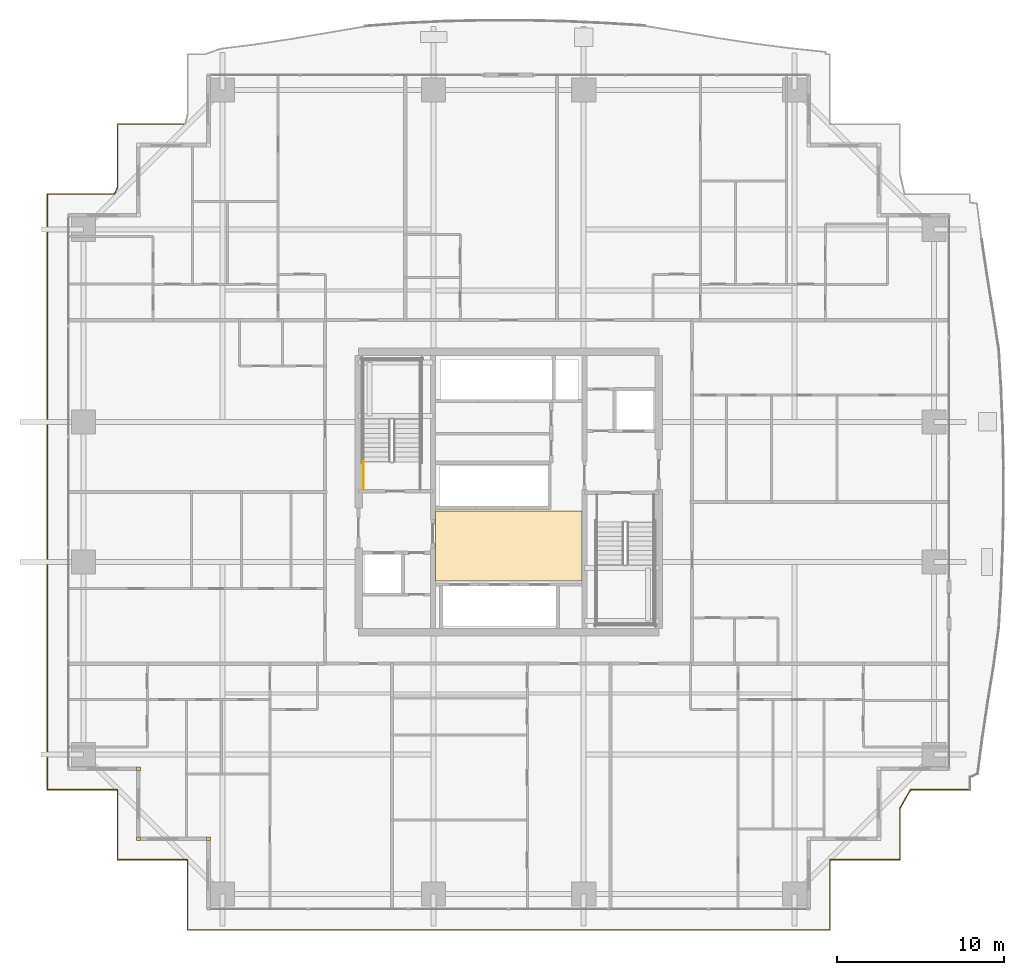
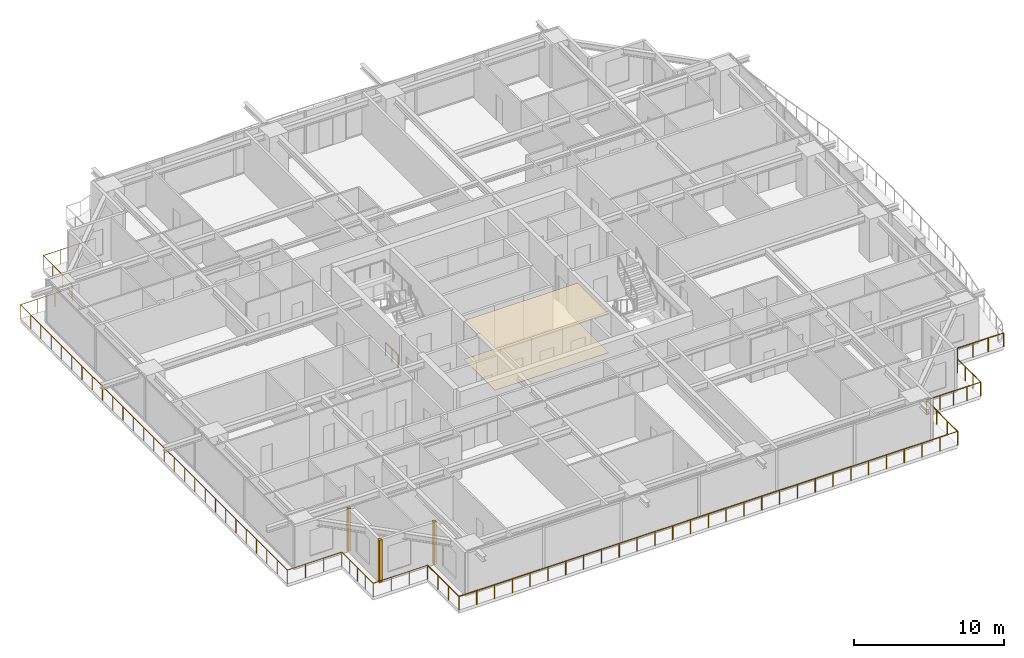
# One storey, part 34 of 38: 5 coverings, 3 railings.
"""IFC4 building model written with IfcOpenShell, lengths in metres."""

from ifc_helpers import new_model, si_unit, direction, frame, origin, origin_2d, place, context, subcontext, project, spatial, polyline, rectangle, circle, outline, extrude, source, transform, mapped, material, layer, layer_set, type_object, element, save


model = new_model("IFC4")

# Units and contexts
model_context = context("Model", 3, precision=1e-05, world=origin(), true_north=direction((0.0, 1.0)))
body_context = subcontext(model_context, "Body", "Model", "MODEL_VIEW")
ifc_project = project(units=[si_unit("LENGTHUNIT", "METRE"), si_unit("AREAUNIT", "SQUARE_METRE"), si_unit("VOLUMEUNIT", "CUBIC_METRE"), si_unit("PLANEANGLEUNIT", "RADIAN"), si_unit("MASSUNIT", "GRAM", prefix="KILO")], contexts=[model_context])

# Site, building, storey
site_placement = place(None, origin())
site = spatial("IfcSite", under=ifc_project, at=site_placement, CompositionType="ELEMENT")
building_placement = place(site_placement, origin())
building = spatial("IfcBuilding", under=site, at=building_placement, Name="Serunith Strait Residences", CompositionType="ELEMENT")
storey_placement = place(building_placement, frame((0.0, 0.0, 37.949951171875)))
storey = spatial("IfcBuildingStorey", under=building, at=storey_placement, Name="L08", CompositionType="ELEMENT", Elevation=37.949951171875)

# Coverings
ifc_material_1 = material(Name="Perforated acoustic gypsum ceiling tile")
ifc_layer_1 = layer(ifc_material_1, 0.02490234375, Name="Perforated acoustic gypsum ceiling tile")
ifc_layer_set_1 = layer_set([ifc_layer_1], Name="Perforated acoustic gypsum ceiling tile")
covering_type_1 = type_object("IfcCoveringType", Name="COV-CEIL-AC60", PredefinedType="CEILING", material=ifc_layer_set_1)
covering_1_placement = place(storey_placement, frame((0.0, 0.0, 3.14013671875)))
element("IfcCovering", 1, at=covering_1_placement, inside=storey, type_object=covering_type_1, Name="L08 Lift Lobby Acoustic Ceiling", PredefinedType="CEILING", context=body_context, shape_type="SweptSolid", body=[
    extrude(outline(polyline([(28.0, 19.85009765625), (36.800048828125, 19.85009765625), (36.800048828125, 24.050048828125), (28.0, 24.050048828125), (28.0, 19.85009765625)])), origin(), (0.0, 0.0, 1.0), 0.02490234375),
])
ifc_material_2 = material(Name="Honed limestone terrazzo flooring", Category="masonry")
ifc_layer_2 = layer(ifc_material_2, 0.02001953125, Name="Honed limestone terrazzo flooring")
ifc_layer_set_2 = layer_set([ifc_layer_2], Name="Honed limestone terrazzo flooring")
covering_type_2 = type_object("IfcCoveringType", Name="COV-FLOOR-TER40", PredefinedType="FLOORING", material=ifc_layer_set_2)
covering_2_placement = place(storey_placement, origin())
element("IfcCovering", 2, at=covering_2_placement, inside=storey, type_object=covering_type_2, Name="L08 Lift Lobby Terrazzo Flooring", PredefinedType="FLOORING", context=body_context, shape_type="SweptSolid", body=[
    extrude(outline(polyline([(28.0, 19.85009765625), (36.800048828125, 19.85009765625), (36.800048828125, 24.050048828125), (28.0, 24.050048828125), (28.0, 19.85009765625)])), origin(), (0.0, 0.0, 1.0), 0.02001953125),
])

# Railings
ifc_material_3 = material(Name="Stainless Steel & Laminated Glass Balustrade", Category="steel")
railing_type_1 = type_object("IfcRailingType", Name="RLG-BALC-1150", PredefinedType="BALUSTRADE", material=ifc_material_3)
railing_1_placement = place(storey_placement, frame((60.06005859375, 7.340087890625, -0.050048828125)))
element("IfcRailing", 3, at=railing_1_placement, inside=storey, type_object=railing_type_1, Name="L08 Swirling Balcony Perimeter Balustrade 7", PredefinedType="BALUSTRADE", context=body_context, shape_type="SweptSolid", body=[
    extrude(circle(Radius=0.02392578125, at=origin_2d()), frame((-0.001953125, 0.0, 1.1259765625), z_axis=(-1.0, 0.0, 0.0), x_axis=(0.0, -1.0, 0.0)), (0.0, 0.0, 1.0), 3.561767578125),
    extrude(circle(Radius=0.02392578125, at=origin_2d()), frame((-3.566650390625, -0.001708984375, 1.1259765625), z_axis=(-0.495358461163, -0.868688663995, 0.0), x_axis=(0.868688663995, -0.495358461163, 0.0)), (0.0, 0.0, 1.0), 1.2763671875),
    extrude(circle(Radius=0.02392578125, at=origin_2d()), frame((-4.199951171875, -1.1142578125, 1.1259765625), z_axis=(0.0, -1.0, 0.0), x_axis=(1.0, 0.0, 0.0)), (0.0, 0.0, 1.0), 3.083984375),
    extrude(circle(Radius=0.02392578125, at=origin_2d()), frame((-4.201904296875, -4.2001953125, 1.1259765625), z_axis=(-1.0, 0.0, 0.0), x_axis=(0.0, -1.0, 0.0)), (0.0, 0.0, 1.0), 4.1962890625),
    extrude(circle(Radius=0.02392578125, at=origin_2d()), frame((-8.400146484375, -4.2021484375, 1.1259765625), z_axis=(0.0, -1.0, 0.0), x_axis=(1.0, 0.0, 0.0)), (0.0, 0.0, 1.0), 4.196044921875),
    extrude(circle(Radius=0.02392578125, at=origin_2d()), frame((-8.402099609375, -8.400146484375, 1.1259765625), z_axis=(-1.0, 0.0, 0.0), x_axis=(0.0, -1.0, 0.0)), (0.0, 0.0, 1.0), 38.51611328125),
    extrude(circle(Radius=0.02392578125, at=origin_2d()), frame((-46.920166015625, -8.398193359375, 1.1259765625), z_axis=(0.0, 1.0, 0.0), x_axis=(-1.0, 0.0, 0.0)), (0.0, 0.0, 1.0), 4.196044921875),
    extrude(circle(Radius=0.02099609375, at=origin_2d()), origin(), (0.0, 0.0, 1.0), 1.099853515625),
    extrude(circle(Radius=0.02099609375, at=origin_2d()), frame((-1.1884765625, 0.0, 0.0)), (0.0, 0.0, 1.0), 1.099853515625),
    extrude(circle(Radius=0.02099609375, at=origin_2d()), frame((-2.377197265625, 0.0, 0.0)), (0.0, 0.0, 1.0), 1.099853515625),
    extrude(circle(Radius=0.02099609375, at=origin_2d()), frame((-3.565673828125, 0.0, 0.0)), (0.0, 0.0, 1.0), 1.099853515625),
    extrude(circle(Radius=0.02099609375, at=origin_2d()), frame((-4.199951171875, -1.1123046875, 0.0)), (0.0, 0.0, 1.0), 1.099853515625),
    extrude(circle(Radius=0.02099609375, at=origin_2d()), frame((-4.199951171875, -2.1416015625, 0.0)), (0.0, 0.0, 1.0), 1.099853515625),
    extrude(circle(Radius=0.02099609375, at=origin_2d()), frame((-4.199951171875, -3.1708984375, 0.0)), (0.0, 0.0, 1.0), 1.099853515625),
    extrude(circle(Radius=0.02099609375, at=origin_2d()), frame((-4.199951171875, -4.2001953125, 0.0)), (0.0, 0.0, 1.0), 1.099853515625),
    extrude(circle(Radius=0.02099609375, at=origin_2d()), frame((-5.25, -4.2001953125, 0.0)), (0.0, 0.0, 1.0), 1.099853515625),
    extrude(circle(Radius=0.02099609375, at=origin_2d()), frame((-6.300048828125, -4.2001953125, 0.0)), (0.0, 0.0, 1.0), 1.099853515625),
    extrude(circle(Radius=0.02099609375, at=origin_2d()), frame((-7.35009765625, -4.2001953125, 0.0)), (0.0, 0.0, 1.0), 1.099853515625),
    extrude(circle(Radius=0.02099609375, at=origin_2d()), frame((-8.400146484375, -4.2001953125, 0.0)), (0.0, 0.0, 1.0), 1.099853515625),
    extrude(circle(Radius=0.02099609375, at=origin_2d()), frame((-8.400146484375, -5.60009765625, 0.0)), (0.0, 0.0, 1.0), 1.099853515625),
    extrude(circle(Radius=0.02099609375, at=origin_2d()), frame((-8.400146484375, -7.000244140625, 0.0)), (0.0, 0.0, 1.0), 1.099853515625),
    extrude(circle(Radius=0.02099609375, at=origin_2d()), frame((-8.400146484375, -8.400146484375, 0.0)), (0.0, 0.0, 1.0), 1.099853515625),
    extrude(circle(Radius=0.02099609375, at=origin_2d()), frame((-9.77587890625, -8.400146484375, 0.0)), (0.0, 0.0, 1.0), 1.099853515625),
    extrude(circle(Radius=0.02099609375, at=origin_2d()), frame((-11.151611328125, -8.400146484375, 0.0)), (0.0, 0.0, 1.0), 1.099853515625),
    extrude(circle(Radius=0.02099609375, at=origin_2d()), frame((-12.52734375, -8.400146484375, 0.0)), (0.0, 0.0, 1.0), 1.099853515625),
    extrude(circle(Radius=0.02099609375, at=origin_2d()), frame((-13.903076171875, -8.400146484375, 0.0)), (0.0, 0.0, 1.0), 1.099853515625),
    extrude(circle(Radius=0.02099609375, at=origin_2d()), frame((-15.27880859375, -8.400146484375, 0.0)), (0.0, 0.0, 1.0), 1.099853515625),
    extrude(circle(Radius=0.02099609375, at=origin_2d()), frame((-16.654541015625, -8.400146484375, 0.0)), (0.0, 0.0, 1.0), 1.099853515625),
    extrude(circle(Radius=0.02099609375, at=origin_2d()), frame((-18.0302734375, -8.400146484375, 0.0)), (0.0, 0.0, 1.0), 1.099853515625),
    extrude(circle(Radius=0.02099609375, at=origin_2d()), frame((-19.40576171875, -8.400146484375, 0.0)), (0.0, 0.0, 1.0), 1.099853515625),
    extrude(circle(Radius=0.02099609375, at=origin_2d()), frame((-20.781494140625, -8.400146484375, 0.0)), (0.0, 0.0, 1.0), 1.099853515625),
    extrude(circle(Radius=0.02099609375, at=origin_2d()), frame((-22.1572265625, -8.400146484375, 0.0)), (0.0, 0.0, 1.0), 1.099853515625),
    extrude(circle(Radius=0.02099609375, at=origin_2d()), frame((-23.532958984375, -8.400146484375, 0.0)), (0.0, 0.0, 1.0), 1.099853515625),
    extrude(circle(Radius=0.02099609375, at=origin_2d()), frame((-24.90869140625, -8.400146484375, 0.0)), (0.0, 0.0, 1.0), 1.099853515625),
    extrude(circle(Radius=0.02099609375, at=origin_2d()), frame((-26.284423828125, -8.400146484375, 0.0)), (0.0, 0.0, 1.0), 1.099853515625),
    extrude(circle(Radius=0.02099609375, at=origin_2d()), frame((-27.66015625, -8.400146484375, 0.0)), (0.0, 0.0, 1.0), 1.099853515625),
    extrude(circle(Radius=0.02099609375, at=origin_2d()), frame((-29.035888671875, -8.400146484375, 0.0)), (0.0, 0.0, 1.0), 1.099853515625),
    extrude(circle(Radius=0.02099609375, at=origin_2d()), frame((-30.41162109375, -8.400146484375, 0.0)), (0.0, 0.0, 1.0), 1.099853515625),
    extrude(circle(Radius=0.02099609375, at=origin_2d()), frame((-31.787353515625, -8.400146484375, 0.0)), (0.0, 0.0, 1.0), 1.099853515625),
    extrude(circle(Radius=0.02099609375, at=origin_2d()), frame((-33.1630859375, -8.400146484375, 0.0)), (0.0, 0.0, 1.0), 1.099853515625),
    extrude(circle(Radius=0.02099609375, at=origin_2d()), frame((-34.538818359375, -8.400146484375, 0.0)), (0.0, 0.0, 1.0), 1.099853515625),
    extrude(circle(Radius=0.02099609375, at=origin_2d()), frame((-35.91455078125, -8.400146484375, 0.0)), (0.0, 0.0, 1.0), 1.099853515625),
    extrude(circle(Radius=0.02099609375, at=origin_2d()), frame((-37.2900390625, -8.400146484375, 0.0)), (0.0, 0.0, 1.0), 1.099853515625),
    extrude(circle(Radius=0.02099609375, at=origin_2d()), frame((-38.665771484375, -8.400146484375, 0.0)), (0.0, 0.0, 1.0), 1.099853515625),
    extrude(circle(Radius=0.02099609375, at=origin_2d()), frame((-40.04150390625, -8.400146484375, 0.0)), (0.0, 0.0, 1.0), 1.099853515625),
    extrude(circle(Radius=0.02099609375, at=origin_2d()), frame((-41.417236328125, -8.400146484375, 0.0)), (0.0, 0.0, 1.0), 1.099853515625),
    extrude(circle(Radius=0.02099609375, at=origin_2d()), frame((-42.79296875, -8.400146484375, 0.0)), (0.0, 0.0, 1.0), 1.099853515625),
    extrude(circle(Radius=0.02099609375, at=origin_2d()), frame((-44.168701171875, -8.400146484375, 0.0)), (0.0, 0.0, 1.0), 1.099853515625),
    extrude(circle(Radius=0.02099609375, at=origin_2d()), frame((-45.54443359375, -8.400146484375, 0.0)), (0.0, 0.0, 1.0), 1.099853515625),
    extrude(circle(Radius=0.02099609375, at=origin_2d()), frame((-46.920166015625, -8.400146484375, 0.0)), (0.0, 0.0, 1.0), 1.099853515625),
    extrude(circle(Radius=0.02099609375, at=origin_2d()), frame((-46.920166015625, -7.000244140625, 0.0)), (0.0, 0.0, 1.0), 1.099853515625),
    extrude(circle(Radius=0.02099609375, at=origin_2d()), frame((-46.920166015625, -5.60009765625, 0.0)), (0.0, 0.0, 1.0), 1.099853515625),
    extrude(circle(Radius=0.02099609375, at=origin_2d()), frame((-46.920166015625, -4.2001953125, 0.0)), (0.0, 0.0, 1.0), 1.099853515625),
])
railing_2_placement = place(storey_placement, frame((13.139892578125, 3.139892578125, -0.050048828125)))
element("IfcRailing", 4, at=railing_2_placement, inside=storey, type_object=railing_type_1, Name="L08 Swirling Balcony Perimeter Balustrade 8", PredefinedType="BALUSTRADE", context=body_context, shape_type="SweptSolid", body=[
    extrude(circle(Radius=0.02392578125, at=origin_2d()), frame((-0.001953125, 0.0, 1.1259765625), z_axis=(-1.0, 0.0, 0.0), x_axis=(0.0, -1.0, 0.0)), (0.0, 0.0, 1.0), 4.196044921875),
    extrude(circle(Radius=0.02392578125, at=origin_2d()), frame((-4.199951171875, 0.001953125, 1.1259765625), z_axis=(0.0, 1.0, 0.0), x_axis=(-1.0, 0.0, 0.0)), (0.0, 0.0, 1.0), 4.1962890625),
    extrude(circle(Radius=0.02392578125, at=origin_2d()), frame((-4.201904296875, 4.2001953125, 1.1259765625), z_axis=(-1.0, 0.0, 0.0), x_axis=(0.0, -1.0, 0.0)), (0.0, 0.0, 1.0), 4.196044921875),
    extrude(circle(Radius=0.02392578125, at=origin_2d()), frame((-8.39990234375, 4.2021484375, 1.1259765625), z_axis=(0.0, 1.0, 0.0), x_axis=(-1.0, 0.0, 0.0)), (0.0, 0.0, 1.0), 35.716064453125),
    extrude(circle(Radius=0.02392578125, at=origin_2d()), frame((-8.39794921875, 39.920166015625, 1.1259765625), z_axis=(1.0, 0.0, 0.0), x_axis=(0.0, 1.0, 0.0)), (0.0, 0.0, 1.0), 4.014892578125),
    extrude(circle(Radius=0.02392578125, at=origin_2d()), frame((-4.38037109375, 39.921875, 1.1259765625), z_axis=(0.414518347731, 0.91004095479, 0.0), x_axis=(-0.91004095479, 0.414518347731, 0.0)), (0.0, 0.0, 1.0), 0.43310546875),
    extrude(circle(Radius=0.02392578125, at=origin_2d()), frame((-4.199951171875, 40.31982421875, 1.1259765625), z_axis=(0.0, 1.0, 0.0), x_axis=(-1.0, 0.0, 0.0)), (0.0, 0.0, 1.0), 3.79833984375),
    extrude(circle(Radius=0.02392578125, at=origin_2d()), frame((-4.197998046875, 44.1201171875, 1.1259765625), z_axis=(1.0, 0.0, 0.0), x_axis=(0.0, 1.0, 0.0)), (0.0, 0.0, 1.0), 4.037841796875),
    extrude(circle(Radius=0.02099609375, at=origin_2d()), origin(), (0.0, 0.0, 1.0), 1.099853515625),
    extrude(circle(Radius=0.02099609375, at=origin_2d()), frame((-1.39990234375, 0.0, 0.0)), (0.0, 0.0, 1.0), 1.099853515625),
    extrude(circle(Radius=0.02099609375, at=origin_2d()), frame((-2.800048828125, 0.0, 0.0)), (0.0, 0.0, 1.0), 1.099853515625),
    extrude(circle(Radius=0.02099609375, at=origin_2d()), frame((-4.199951171875, 0.0, 0.0)), (0.0, 0.0, 1.0), 1.099853515625),
    extrude(circle(Radius=0.02099609375, at=origin_2d()), frame((-4.199951171875, 1.050048828125, 0.0)), (0.0, 0.0, 1.0), 1.099853515625),
    extrude(circle(Radius=0.02099609375, at=origin_2d()), frame((-4.199951171875, 2.10009765625, 0.0)), (0.0, 0.0, 1.0), 1.099853515625),
    extrude(circle(Radius=0.02099609375, at=origin_2d()), frame((-4.199951171875, 3.150146484375, 0.0)), (0.0, 0.0, 1.0), 1.099853515625),
    extrude(circle(Radius=0.02099609375, at=origin_2d()), frame((-4.199951171875, 4.2001953125, 0.0)), (0.0, 0.0, 1.0), 1.099853515625),
    extrude(circle(Radius=0.02099609375, at=origin_2d()), frame((-5.599853515625, 4.2001953125, 0.0)), (0.0, 0.0, 1.0), 1.099853515625),
    extrude(circle(Radius=0.02099609375, at=origin_2d()), frame((-7.0, 4.2001953125, 0.0)), (0.0, 0.0, 1.0), 1.099853515625),
    extrude(circle(Radius=0.02099609375, at=origin_2d()), frame((-8.39990234375, 4.2001953125, 0.0)), (0.0, 0.0, 1.0), 1.099853515625),
    extrude(circle(Radius=0.02099609375, at=origin_2d()), frame((-8.39990234375, 5.573974609375, 0.0)), (0.0, 0.0, 1.0), 1.099853515625),
    extrude(circle(Radius=0.02099609375, at=origin_2d()), frame((-8.39990234375, 6.947998046875, 0.0)), (0.0, 0.0, 1.0), 1.099853515625),
    extrude(circle(Radius=0.02099609375, at=origin_2d()), frame((-8.39990234375, 8.32177734375, 0.0)), (0.0, 0.0, 1.0), 1.099853515625),
    extrude(circle(Radius=0.02099609375, at=origin_2d()), frame((-8.39990234375, 9.695556640625, 0.0)), (0.0, 0.0, 1.0), 1.099853515625),
    extrude(circle(Radius=0.02099609375, at=origin_2d()), frame((-8.39990234375, 11.0693359375, 0.0)), (0.0, 0.0, 1.0), 1.099853515625),
    extrude(circle(Radius=0.02099609375, at=origin_2d()), frame((-8.39990234375, 12.443359375, 0.0)), (0.0, 0.0, 1.0), 1.099853515625),
    extrude(circle(Radius=0.02099609375, at=origin_2d()), frame((-8.39990234375, 13.817138671875, 0.0)), (0.0, 0.0, 1.0), 1.099853515625),
    extrude(circle(Radius=0.02099609375, at=origin_2d()), frame((-8.39990234375, 15.19091796875, 0.0)), (0.0, 0.0, 1.0), 1.099853515625),
    extrude(circle(Radius=0.02099609375, at=origin_2d()), frame((-8.39990234375, 16.564697265625, 0.0)), (0.0, 0.0, 1.0), 1.099853515625),
    extrude(circle(Radius=0.02099609375, at=origin_2d()), frame((-8.39990234375, 17.938720703125, 0.0)), (0.0, 0.0, 1.0), 1.099853515625),
    extrude(circle(Radius=0.02099609375, at=origin_2d()), frame((-8.39990234375, 19.3125, 0.0)), (0.0, 0.0, 1.0), 1.099853515625),
    extrude(circle(Radius=0.02099609375, at=origin_2d()), frame((-8.39990234375, 20.686279296875, 0.0)), (0.0, 0.0, 1.0), 1.099853515625),
    extrude(circle(Radius=0.02099609375, at=origin_2d()), frame((-8.39990234375, 22.06005859375, 0.0)), (0.0, 0.0, 1.0), 1.099853515625),
    extrude(circle(Radius=0.02099609375, at=origin_2d()), frame((-8.39990234375, 23.43408203125, 0.0)), (0.0, 0.0, 1.0), 1.099853515625),
    extrude(circle(Radius=0.02099609375, at=origin_2d()), frame((-8.39990234375, 24.807861328125, 0.0)), (0.0, 0.0, 1.0), 1.099853515625),
    extrude(circle(Radius=0.02099609375, at=origin_2d()), frame((-8.39990234375, 26.181640625, 0.0)), (0.0, 0.0, 1.0), 1.099853515625),
    extrude(circle(Radius=0.02099609375, at=origin_2d()), frame((-8.39990234375, 27.5556640625, 0.0)), (0.0, 0.0, 1.0), 1.099853515625),
    extrude(circle(Radius=0.02099609375, at=origin_2d()), frame((-8.39990234375, 28.929443359375, 0.0)), (0.0, 0.0, 1.0), 1.099853515625),
    extrude(circle(Radius=0.02099609375, at=origin_2d()), frame((-8.39990234375, 30.30322265625, 0.0)), (0.0, 0.0, 1.0), 1.099853515625),
    extrude(circle(Radius=0.02099609375, at=origin_2d()), frame((-8.39990234375, 31.677001953125, 0.0)), (0.0, 0.0, 1.0), 1.099853515625),
    extrude(circle(Radius=0.02099609375, at=origin_2d()), frame((-8.39990234375, 33.051025390625, 0.0)), (0.0, 0.0, 1.0), 1.099853515625),
    extrude(circle(Radius=0.02099609375, at=origin_2d()), frame((-8.39990234375, 34.4248046875, 0.0)), (0.0, 0.0, 1.0), 1.099853515625),
    extrude(circle(Radius=0.02099609375, at=origin_2d()), frame((-8.39990234375, 35.798583984375, 0.0)), (0.0, 0.0, 1.0), 1.099853515625),
    extrude(circle(Radius=0.02099609375, at=origin_2d()), frame((-8.39990234375, 37.17236328125, 0.0)), (0.0, 0.0, 1.0), 1.099853515625),
    extrude(circle(Radius=0.02099609375, at=origin_2d()), frame((-8.39990234375, 38.54638671875, 0.0)), (0.0, 0.0, 1.0), 1.099853515625),
    extrude(circle(Radius=0.02099609375, at=origin_2d()), frame((-8.39990234375, 39.920166015625, 0.0)), (0.0, 0.0, 1.0), 1.099853515625),
    extrude(circle(Radius=0.02099609375, at=origin_2d()), frame((-7.060302734375, 39.920166015625, 0.0)), (0.0, 0.0, 1.0), 1.099853515625),
    extrude(circle(Radius=0.02099609375, at=origin_2d()), frame((-5.720703125, 39.920166015625, 0.0)), (0.0, 0.0, 1.0), 1.099853515625),
    extrude(circle(Radius=0.02099609375, at=origin_2d()), frame((-4.381103515625, 39.920166015625, 0.0)), (0.0, 0.0, 1.0), 1.099853515625),
    extrude(circle(Radius=0.02099609375, at=origin_2d()), frame((-4.199951171875, 40.31787109375, 0.0)), (0.0, 0.0, 1.0), 1.099853515625),
    extrude(circle(Radius=0.02099609375, at=origin_2d()), frame((-4.199951171875, 41.585205078125, 0.0)), (0.0, 0.0, 1.0), 1.099853515625),
    extrude(circle(Radius=0.02099609375, at=origin_2d()), frame((-4.199951171875, 42.852783203125, 0.0)), (0.0, 0.0, 1.0), 1.099853515625),
    extrude(circle(Radius=0.02099609375, at=origin_2d()), frame((-4.199951171875, 44.1201171875, 0.0)), (0.0, 0.0, 1.0), 1.099853515625),
    extrude(circle(Radius=0.02099609375, at=origin_2d()), frame((-2.852783203125, 44.1201171875, 0.0)), (0.0, 0.0, 1.0), 1.099853515625),
    extrude(circle(Radius=0.02099609375, at=origin_2d()), frame((-1.50537109375, 44.1201171875, 0.0)), (0.0, 0.0, 1.0), 1.099853515625),
    extrude(circle(Radius=0.02099609375, at=origin_2d()), frame((-0.158203125, 44.1201171875, 0.0)), (0.0, 0.0, 1.0), 1.099853515625),
])
ifc_material_4 = material(Name="Brushed stainless steel 316L", Category="steel")
railing_type_2 = type_object("IfcRailingType", Name="RLG-STAIR-GUARD", PredefinedType="BALUSTRADE", material=ifc_material_4)
railing_3_placement = place(storey_placement, frame((23.699951171875, 25.35009765625, 0.0)))
element("IfcRailing", 5, at=railing_3_placement, inside=storey, type_object=railing_type_2, Name="L08 ST-1 stair guard 9", PredefinedType="BALUSTRADE", context=body_context, shape_type="SweptSolid", body=[
    extrude(circle(Radius=0.02392578125, at=origin_2d()), frame((0.0, 0.001953125, 1.076171875), z_axis=(0.0, 1.0, 0.0), x_axis=(-1.0, 0.0, 0.0)), (0.0, 0.0, 1.0), 1.676025390625),
    extrude(circle(Radius=0.02099609375, at=origin_2d()), origin(), (0.0, 0.0, 1.0), 1.050048828125),
    extrude(circle(Radius=0.02099609375, at=origin_2d()), frame((0.0, 0.83984375, 0.0)), (0.0, 0.0, 1.0), 1.050048828125),
    extrude(circle(Radius=0.02099609375, at=origin_2d()), frame((0.0, 1.679931640625, 0.0)), (0.0, 0.0, 1.0), 1.050048828125),
])

# Coverings
ifc_material_5 = material(Name="Pale-Champagne Anodised Aluminium", Category="aluminium")
ifc_layer_3 = layer(ifc_material_5, 0.219970703125, Name="Pale-Champagne Anodised Aluminium")
ifc_layer_set_3 = layer_set([ifc_layer_3], Name="Pale-Champagne Anodised Aluminium")
covering_type_3 = type_object("IfcCoveringType", Name="COV-CORN-TRIM", PredefinedType="CLADDING", material=ifc_layer_set_3)
shared_shape = source(origin(), body_context, "Body", "SweptSolid", [
    extrude(rectangle(XDim=0.221923828125, YDim=0.221923828125, at=origin_2d()), origin(), (0.0, 0.0, 1.0), 3.47509765625),
])
for number, where, z_axis, x_axis, name in (
    (6, (10.199951171875, 8.60009765625, 0.0), (0.0, 0.0, 1.0), (1.0, 0.0, 0.0), "L08 Girih Serrated Corner Trim Post 17"),
    (7, (10.199951171875, 4.39990234375, 0.0), (0.0, 0.0, 1.0), (1.0, 0.0, 0.0), "L08 Girih Serrated Corner Trim Post 18"),
    (8, (14.39990234375, 4.39990234375, 0.0), (0.0, 0.0, 1.0), (1.0, 0.0, 0.0), "L08 Girih Serrated Corner Trim Post 19"),
):
    element("IfcCovering", number, at=place(storey_placement, frame(where, z_axis=z_axis, x_axis=x_axis)), inside=storey, type_object=covering_type_3, Name=name, PredefinedType="CLADDING", context=body_context, shape_type="MappedRepresentation", body=[
        mapped(shared_shape, transform((0.0, 0.0, 0.0), scale=1.0)),
    ])

save(model, "model.ifc")
